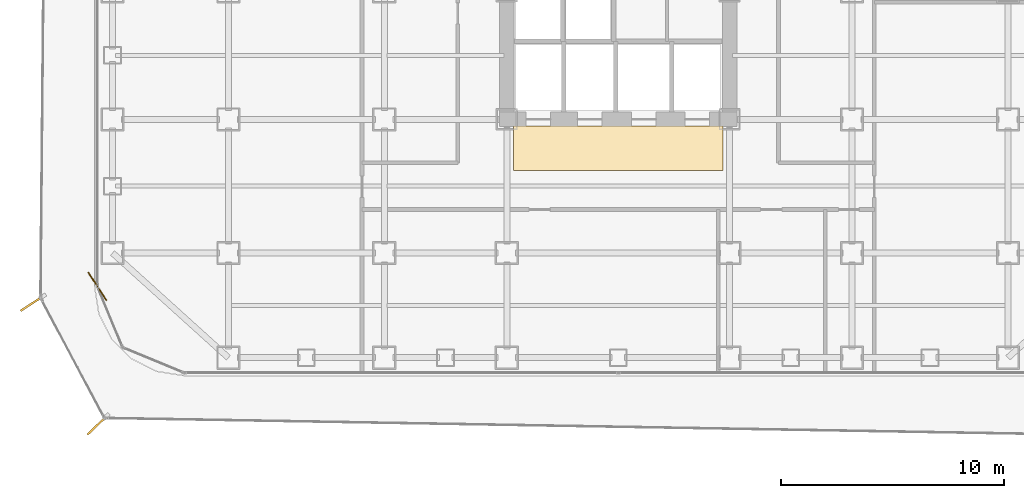
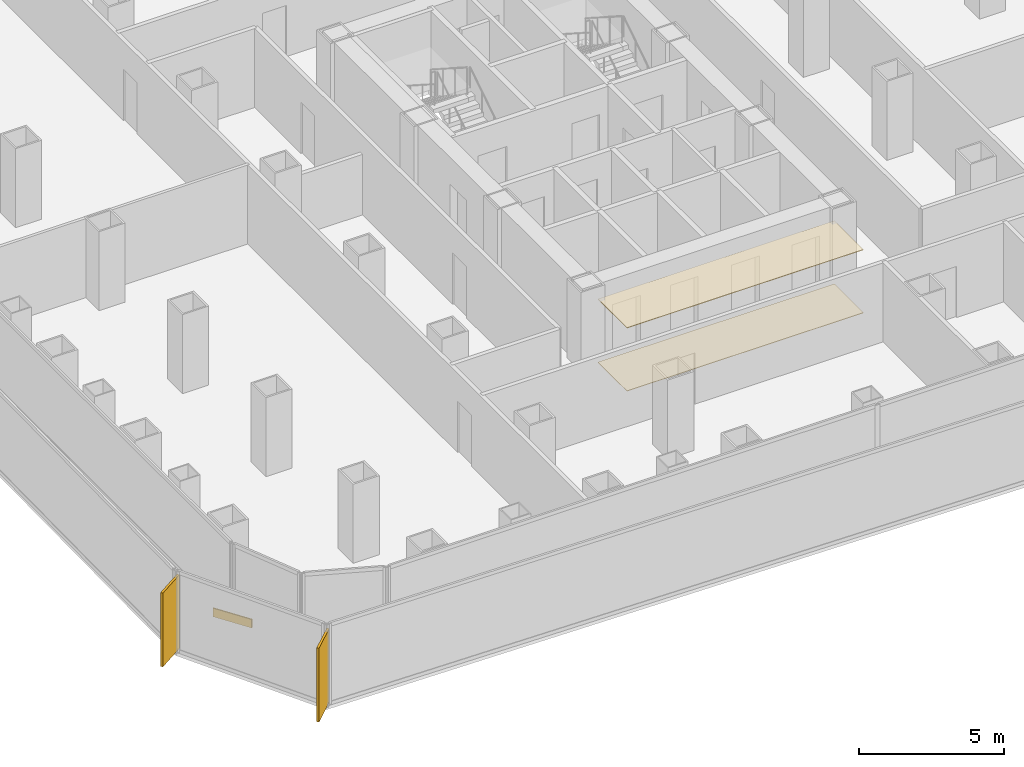
# One storey, part 19 of 21: 3 coverings, 2 shading devices.
"""IFC4 building model written with IfcOpenShell, lengths in metres."""

from ifc_helpers import new_model, si_unit, direction, frame, origin, origin_2d, place, context, subcontext, project, spatial, polyline, rectangle, outline, extrude, source, transform, mapped, material, layer, layer_set, type_object, element, save


model = new_model("IFC4")

# Units and contexts
model_context = context("Model", 3, precision=1e-05, world=origin(), true_north=direction((0.0, 1.0)))
body_context = subcontext(model_context, "Body", "Model", "MODEL_VIEW")
ifc_project = project(units=[si_unit("LENGTHUNIT", "METRE"), si_unit("AREAUNIT", "SQUARE_METRE"), si_unit("VOLUMEUNIT", "CUBIC_METRE"), si_unit("PLANEANGLEUNIT", "RADIAN"), si_unit("MASSUNIT", "GRAM", prefix="KILO")], contexts=[model_context])

# Site, building, storey
site_placement = place(None, origin())
site = spatial("IfcSite", under=ifc_project, at=site_placement, CompositionType="ELEMENT")
building_placement = place(site_placement, origin())
building = spatial("IfcBuilding", under=site, at=building_placement, Name="Kolveth Station Tower", CompositionType="ELEMENT")
storey_placement = place(building_placement, frame((0.0, 0.0, 58.5)))
storey = spatial("IfcBuildingStorey", under=building, at=storey_placement, Name="L15", CompositionType="ELEMENT", Elevation=58.5)

# Coverings
ifc_material_1 = material(Name="Acoustic mineral-fibre ceiling tile")
ifc_layer_1 = layer(ifc_material_1, 0.02490234375)
ifc_layer_set_1 = layer_set([ifc_layer_1], Name="Acoustic mineral-fibre ceiling tile")
covering_type_1 = type_object("IfcCoveringType", Name="Ceil_CL1", PredefinedType="CEILING", material=ifc_layer_set_1)
covering_1_placement = place(storey_placement, frame((0.0, 0.0, 2.64990234375)))
element("IfcCovering", 1, at=covering_1_placement, inside=storey, type_object=covering_type_1, Name="L15 Lift Lobby Suspended Ceiling", PredefinedType="CEILING", context=body_context, shape_type="SweptSolid", body=[
    extrude(outline(polyline([(18.800048828125, 9.199951171875), (28.199951171875, 9.199951171875), (28.199951171875, 11.199951171875), (18.800048828125, 11.199951171875), (18.800048828125, 9.199951171875)])), origin(), (0.0, 0.0, 1.0), 0.025146484375),
])
ifc_material_2 = material(Name="Honed terrazzo flooring")
ifc_layer_2 = layer(ifc_material_2, 0.02001953125)
ifc_layer_set_2 = layer_set([ifc_layer_2], Name="Honed terrazzo flooring")
covering_type_2 = type_object("IfcCoveringType", Name="Floor_FL1", PredefinedType="FLOORING", material=ifc_layer_set_2)
covering_2_placement = place(storey_placement, origin())
element("IfcCovering", 2, at=covering_2_placement, inside=storey, type_object=covering_type_2, Name="L15 Lift Lobby Floor Finish", PredefinedType="FLOORING", context=body_context, shape_type="SweptSolid", body=[
    extrude(outline(polyline([(18.800048828125, 9.199951171875), (28.199951171875, 9.199951171875), (28.199951171875, 11.199951171875), (18.800048828125, 11.199951171875), (18.800048828125, 9.199951171875)])), origin(), (0.0, 0.0, 1.0), 0.02001953125),
])

# Shading devices
ifc_material_3 = material(Name="Black anodized aluminium 6063-T6", Category="aluminium")
shading_device_type = type_object("IfcShadingDeviceType", Name="FIN_VF1", PredefinedType="USERDEFINED", material=ifc_material_3)
shared_shape_1 = source(origin(), body_context, "Body", "SweptSolid", [
    extrude(rectangle(XDim=1.25, YDim=0.090087890625, at=origin_2d()), origin(), (0.0, 0.0, 1.0), 3.10009765625),
])
for number, where, z_axis, x_axis, name in (
    (3, (-2.804931640625, 3.241943359375, 0.0), (0.0, 0.0, 1.0), (-0.839714653571, -0.543027900367, 0.0), "L15 Dark-Aluminium Solar Fin 7"),
    (4, (0.116943359375, -2.22607421875, 0.0), (0.0, 0.0, 1.0), (-0.72091407724, -0.693024453563, 0.0), "L15 Dark-Aluminium Solar Fin 8"),
):
    element("IfcShadingDevice", number, at=place(storey_placement, frame(where, z_axis=z_axis, x_axis=x_axis)), inside=storey, type_object=shading_device_type, Name=name, ObjectType="FIN", PredefinedType="USERDEFINED", context=body_context, shape_type="MappedRepresentation", body=[
        mapped(shared_shape_1, transform((0.0, 0.0, 0.0), x_axis=(1.0, 0.0, 0.0), y_axis=(0.0, 1.0, 0.0), z_axis=(0.0, 0.0, 1.0), scale=1.0)),
    ])

# Covering
ifc_material_4 = material(Name="Charcoal anodized aluminium spandrel cladding", Category="aluminium")
ifc_layer_3 = layer(ifc_material_4, 0.044921875)
ifc_layer_set_3 = layer_set([ifc_layer_3], Name="Charcoal anodized aluminium spandrel cladding")
covering_type_3 = type_object("IfcCoveringType", Name="Clad_CD1", PredefinedType="CLADDING", material=ifc_layer_set_3)
shared_shape_2 = source(origin(), body_context, "Body", "SweptSolid", [
    extrude(rectangle(XDim=1.5, YDim=0.044921875, at=origin_2d()), origin(), (0.0, 0.0, 1.0), 0.360107421875),
])
covering_3_placement = place(storey_placement, frame((0.1201171875, 4.0, 0.0), z_axis=(0.0, 0.0, 1.0), x_axis=(0.543027900367, -0.839714653571, 0.0)))
element("IfcCovering", 5, at=covering_3_placement, inside=storey, type_object=covering_type_3, Name="L15 Spandrel Edge Cladding 7", PredefinedType="CLADDING", context=body_context, shape_type="MappedRepresentation", body=[
    mapped(shared_shape_2, transform((0.0, 0.0, 0.0), x_axis=(1.0, 0.0, 0.0), y_axis=(0.0, 1.0, 0.0), z_axis=(0.0, 0.0, 1.0), scale=1.0)),
])

save(model, "model.ifc")
